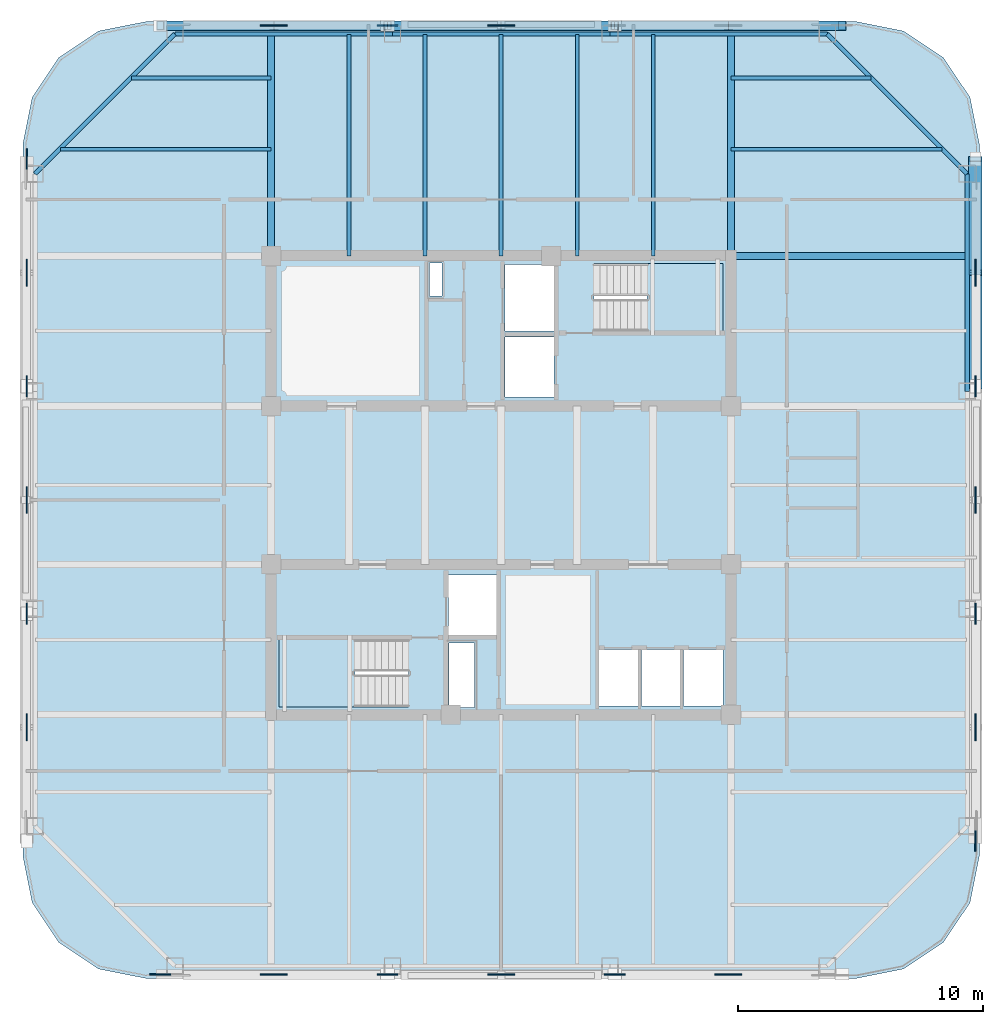
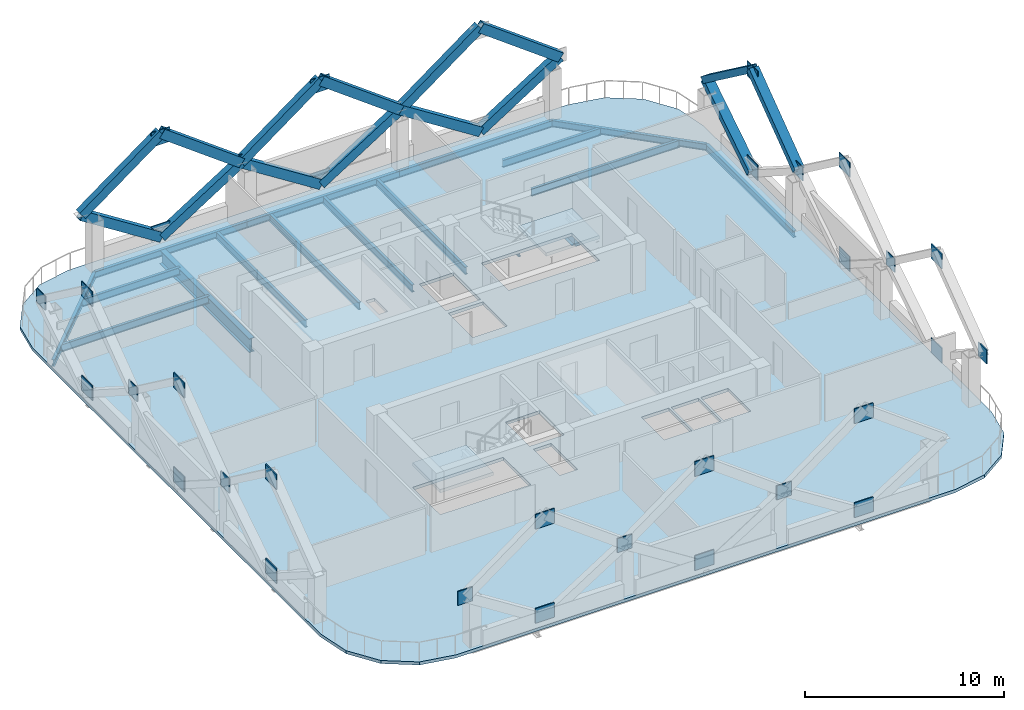
# One storey, part 2 of 8: 32 plates, 18 beams, 15 members, 3 slabs, 2 elements without a shape of their own.
"""IFC4 building model written with IfcOpenShell, lengths in metres."""

from ifc_helpers import new_model, si_unit, direction, frame, origin, origin_2d, place, context, subcontext, project, spatial, polyline, rectangle, hollow_rectangle, i_section, outline, extrude, material, layer, layer_set, material_profile, profile_set, type_object, element, aggregate, save


model = new_model("IFC4")

# Units and contexts
model_context = context("Model", 3, precision=1e-05, world=origin(), true_north=direction((0.0, 1.0)))
body_context = subcontext(model_context, "Body", "Model", "MODEL_VIEW")
ifc_project = project(units=[si_unit("LENGTHUNIT", "METRE"), si_unit("AREAUNIT", "SQUARE_METRE"), si_unit("VOLUMEUNIT", "CUBIC_METRE"), si_unit("PLANEANGLEUNIT", "RADIAN"), si_unit("MASSUNIT", "GRAM", prefix="KILO")], contexts=[model_context])

# Site, building, storey
site_placement = place(None, origin())
site = spatial("IfcSite", under=ifc_project, at=site_placement, CompositionType="ELEMENT")
building_placement = place(site_placement, origin())
building = spatial("IfcBuilding", under=site, at=building_placement, Name="Qhalaya Broadcast Tower", CompositionType="ELEMENT")
storey_placement = place(building_placement, frame((0.0, 0.0, 223.89990234375)))
storey = spatial("IfcBuildingStorey", under=building, at=storey_placement, Name="L66", CompositionType="ELEMENT", Elevation=223.89990234375)

# Beams
ifc_material_1 = material(Name="Structural Steel ASTM A992 Grade 50", Category="steel")
ifc_material_profile_1 = material_profile(ifc_material_1, i_section(OverallWidth=0.154052734375, OverallDepth=0.458984375, WebThickness=0.009033203125, FlangeThickness=0.015380859375, at=origin_2d()), Name="W18X46")
ifc_profile_set_1 = profile_set([ifc_material_profile_1], Name="Structural Steel ASTM A992 Grade 50")
beam_type_1 = type_object("IfcBeamType", Name="Composite Floor Joist J04", PredefinedType="JOIST", material=ifc_profile_set_1)
for number, where, z_axis, x_axis, name in (
    (1, (-6.199951171875, 9.949951171875, -0.41943359375), (0.0, 1.0, 0.0), (-1.0, 0.0, 0.0), "L66 J04 L66-JNN1-1"),
    (2, (-3.10009765625, 9.949951171875, -0.41943359375), (0.0, 1.0, 0.0), (-1.0, 0.0, 0.0), "L66 J04 L66-JNN2-1"),
    (3, (0.0, 9.949951171875, -0.41943359375), (0.0, 1.0, 0.0), (-1.0, 0.0, 0.0), "L66 J04 L66-JNN3-1"),
    (4, (3.10009765625, 9.949951171875, -0.41943359375), (0.0, 1.0, 0.0), (-1.0, 0.0, 0.0), "L66 J04 L66-JNN4-1"),
    (5, (6.199951171875, 9.949951171875, -0.41943359375), (0.0, 1.0, 0.0), (-1.0, 0.0, 0.0), "L66 J04 L66-JNN5-1"),
):
    element("IfcBeam", number, at=place(storey_placement, frame(where, z_axis=z_axis, x_axis=x_axis)), inside=storey, type_object=beam_type_1, Name=name, PredefinedType="JOIST", context=body_context, shape_type="SweptSolid", body=[
        extrude(i_section(OverallWidth=0.154052734375, OverallDepth=0.458984375, WebThickness=0.009033203125, FlangeThickness=0.015380859375, at=origin_2d()), origin(), (0.0, 0.0, 1.0), 9.030029296875),
    ])
for number, where, z_axis, x_axis, name in (
    (6, (-17.9716796875, 14.300048828125, -0.41943359375), (1.0, 0.0, 0.0), (0.0, 1.0, 0.0), "L66 J04 L66-JWE6W-1"),
    (7, (9.375, 14.300048828125, -0.41943359375), (1.0, 0.0, 0.0), (0.0, 1.0, 0.0), "L66 J04 L66-JWE6E-1"),
):
    element("IfcBeam", number, at=place(storey_placement, frame(where, z_axis=z_axis, x_axis=x_axis)), inside=storey, type_object=beam_type_1, Name=name, PredefinedType="JOIST", context=body_context, shape_type="SweptSolid", body=[
        extrude(i_section(OverallWidth=0.154052734375, OverallDepth=0.458984375, WebThickness=0.009033203125, FlangeThickness=0.015380859375, at=origin_2d()), origin(), (0.0, 0.0, 1.0), 8.5966796875),
    ])
for number, where, z_axis, x_axis, name in (
    (8, (-15.07177734375, 17.199951171875, -0.41943359375), (1.0, 0.0, 0.0), (0.0, 1.0, 0.0), "L66 J04 L66-JWE7W-1"),
    (9, (9.375, 17.199951171875, -0.41943359375), (1.0, 0.0, 0.0), (0.0, 1.0, 0.0), "L66 J04 L66-JWE7E-1"),
):
    element("IfcBeam", number, at=place(storey_placement, frame(where, z_axis=z_axis, x_axis=x_axis)), inside=storey, type_object=beam_type_1, Name=name, PredefinedType="JOIST", context=body_context, shape_type="SweptSolid", body=[
        extrude(i_section(OverallWidth=0.154052734375, OverallDepth=0.458984375, WebThickness=0.009033203125, FlangeThickness=0.015380859375, at=origin_2d()), origin(), (0.0, 0.0, 1.0), 5.69677734375),
    ])

# Members
ifc_material_2 = material(Name="Structural Steel ASTM A572 Grade 50", Category="steel")
ifc_material_profile_2 = material_profile(ifc_material_2, hollow_rectangle(XDim=0.3798828125, YDim=0.550048828125, WallThickness=0.02490234375, at=origin_2d()), Name="BOX 380x550x25")
ifc_profile_set_2 = profile_set([ifc_material_profile_2], Name="Structural Steel ASTM A572 Grade 50")
member_type = type_object("IfcMemberType", Name="Exoskeleton Diamond Diagonal Upper EX4", PredefinedType="BRACE", material=ifc_profile_set_2)
member_placement = place(storey_placement, frame((19.340087890625, 9.2666015625, 0.360107421875), z_axis=(0.0, 0.843538840855, 0.537068174415), x_axis=(0.0, -0.537068174415, 0.843538840855)))
element("IfcMember", 10, at=member_placement, inside=storey, type_object=member_type, Name="B5 Exoskeleton Diamond Brace E3-D2", PredefinedType="BRACE", context=body_context, shape_type="SweptSolid", body=[
    extrude(hollow_rectangle(XDim=0.3798828125, YDim=0.550048828125, WallThickness=0.02490234375, at=origin_2d()), origin(), (0.0, 0.0, 1.0), 5.49267578125),
])
for number, where, z_axis, x_axis, name in (
    (11, (19.340087890625, 4.63330078125, 3.31005859375), (0.0, 0.803734963659, 0.594987485744), (0.0, -0.594987485744, 0.803734963659), "B5 Exoskeleton Diamond Brace E3-D3"),
    (12, (19.340087890625, 13.89990234375, 3.31005859375), (0.0, -0.803734963659, 0.594987485744), (0.0, 0.594987485744, 0.803734963659), "B5 Exoskeleton Diamond Brace E3-D4"),
):
    element("IfcMember", number, at=place(storey_placement, frame(where, z_axis=z_axis, x_axis=x_axis)), inside=storey, type_object=member_type, Name=name, PredefinedType="BRACE", context=body_context, shape_type="SweptSolid", body=[
        extrude(hollow_rectangle(XDim=0.3798828125, YDim=0.550048828125, WallThickness=0.02490234375, at=origin_2d()), origin(), (0.0, 0.0, 1.0), 5.7646484375),
    ])
for number, where, z_axis, x_axis, name in (
    (13, (9.2666015625, 19.340087890625, 0.360107421875), (0.843538840855, 0.0, 0.537068174415), (0.0, 1.0, 0.0), "B5 Exoskeleton Diamond Brace N1-D1"),
    (14, (9.2666015625, 19.340087890625, 0.360107421875), (-0.843538840855, 0.0, 0.537068174415), (0.0, -1.0, 0.0), "B5 Exoskeleton Diamond Brace N1-D2"),
):
    element("IfcMember", number, at=place(storey_placement, frame(where, z_axis=z_axis, x_axis=x_axis)), inside=storey, type_object=member_type, Name=name, PredefinedType="BRACE", context=body_context, shape_type="SweptSolid", body=[
        extrude(hollow_rectangle(XDim=0.3798828125, YDim=0.550048828125, WallThickness=0.02490234375, at=origin_2d()), origin(), (0.0, 0.0, 1.0), 5.49267578125),
    ])
for number, where, z_axis, x_axis, name in (
    (15, (13.89990234375, 19.340087890625, 3.31005859375), (-0.803734963659, 0.0, 0.594987485744), (0.0, -1.0, 0.0), "B5 Exoskeleton Diamond Brace N1-D3"),
    (16, (4.63330078125, 19.340087890625, 3.31005859375), (0.803734963659, 0.0, 0.594987485744), (0.0, 1.0, 0.0), "B5 Exoskeleton Diamond Brace N1-D4"),
):
    element("IfcMember", number, at=place(storey_placement, frame(where, z_axis=z_axis, x_axis=x_axis)), inside=storey, type_object=member_type, Name=name, PredefinedType="BRACE", context=body_context, shape_type="SweptSolid", body=[
        extrude(hollow_rectangle(XDim=0.3798828125, YDim=0.550048828125, WallThickness=0.02490234375, at=origin_2d()), origin(), (0.0, 0.0, 1.0), 5.7646484375),
    ])
for number, where, z_axis, x_axis, name in (
    (17, (0.0, 19.340087890625, 0.360107421875), (0.843538840855, 0.0, 0.537068174415), (0.0, 1.0, 0.0), "B5 Exoskeleton Diamond Brace N2-D1"),
    (18, (0.0, 19.340087890625, 0.360107421875), (-0.843538840855, 0.0, 0.537068174415), (0.0, -1.0, 0.0), "B5 Exoskeleton Diamond Brace N2-D2"),
):
    element("IfcMember", number, at=place(storey_placement, frame(where, z_axis=z_axis, x_axis=x_axis)), inside=storey, type_object=member_type, Name=name, PredefinedType="BRACE", context=body_context, shape_type="SweptSolid", body=[
        extrude(hollow_rectangle(XDim=0.3798828125, YDim=0.550048828125, WallThickness=0.02490234375, at=origin_2d()), origin(), (0.0, 0.0, 1.0), 5.49267578125),
    ])
for number, where, z_axis, x_axis, name in (
    (19, (4.63330078125, 19.340087890625, 3.31005859375), (-0.803734963659, 0.0, 0.594987485744), (0.0, -1.0, 0.0), "B5 Exoskeleton Diamond Brace N2-D3"),
    (20, (-4.63330078125, 19.340087890625, 3.31005859375), (0.803734963659, 0.0, 0.594987485744), (0.0, 1.0, 0.0), "B5 Exoskeleton Diamond Brace N2-D4"),
):
    element("IfcMember", number, at=place(storey_placement, frame(where, z_axis=z_axis, x_axis=x_axis)), inside=storey, type_object=member_type, Name=name, PredefinedType="BRACE", context=body_context, shape_type="SweptSolid", body=[
        extrude(hollow_rectangle(XDim=0.3798828125, YDim=0.550048828125, WallThickness=0.02490234375, at=origin_2d()), origin(), (0.0, 0.0, 1.0), 5.7646484375),
    ])
for number, where, z_axis, x_axis, name in (
    (21, (-9.2666015625, 19.340087890625, 0.360107421875), (0.843538840855, 0.0, 0.537068174415), (0.0, 1.0, 0.0), "B5 Exoskeleton Diamond Brace N3-D1"),
    (22, (-9.2666015625, 19.340087890625, 0.360107421875), (-0.843538840855, 0.0, 0.537068174415), (0.0, -1.0, 0.0), "B5 Exoskeleton Diamond Brace N3-D2"),
):
    element("IfcMember", number, at=place(storey_placement, frame(where, z_axis=z_axis, x_axis=x_axis)), inside=storey, type_object=member_type, Name=name, PredefinedType="BRACE", context=body_context, shape_type="SweptSolid", body=[
        extrude(hollow_rectangle(XDim=0.3798828125, YDim=0.550048828125, WallThickness=0.02490234375, at=origin_2d()), origin(), (0.0, 0.0, 1.0), 5.49267578125),
    ])
for number, where, z_axis, x_axis, name in (
    (23, (-4.63330078125, 19.340087890625, 3.31005859375), (-0.803734963659, 0.0, 0.594987485744), (0.0, -1.0, 0.0), "B5 Exoskeleton Diamond Brace N3-D3"),
    (24, (-13.89990234375, 19.340087890625, 3.31005859375), (0.803734963659, 0.0, 0.594987485744), (0.0, 1.0, 0.0), "B5 Exoskeleton Diamond Brace N3-D4"),
):
    element("IfcMember", number, at=place(storey_placement, frame(where, z_axis=z_axis, x_axis=x_axis)), inside=storey, type_object=member_type, Name=name, PredefinedType="BRACE", context=body_context, shape_type="SweptSolid", body=[
        extrude(hollow_rectangle(XDim=0.3798828125, YDim=0.550048828125, WallThickness=0.02490234375, at=origin_2d()), origin(), (0.0, 0.0, 1.0), 5.7646484375),
    ])

# Beams
ifc_material_profile_3 = material_profile(ifc_material_1, i_section(OverallWidth=0.2919921875, OverallDepth=0.85888671875, WebThickness=0.01708984375, FlangeThickness=0.031005859375, at=origin_2d()), Name="W33X169")
ifc_profile_set_3 = profile_set([ifc_material_profile_3], Name="Structural Steel ASTM A992 Grade 50")
beam_type_2 = type_object("IfcBeamType", Name="Upper Block Primary Girder PG4", PredefinedType="USERDEFINED", material=ifc_profile_set_3)
for number, where, z_axis, x_axis, name in (
    (25, (-9.375, 9.949951171875, -0.619384765625), (0.0, 1.0, 0.0), (-1.0, 0.0, 0.0), "L66 PG4 L66-PGXN1-1"),
    (26, (9.375, 9.949951171875, -0.619384765625), (0.0, 1.0, 0.0), (-1.0, 0.0, 0.0), "L66 PG4 L66-PGXN2-1"),
):
    element("IfcBeam", number, at=place(storey_placement, frame(where, z_axis=z_axis, x_axis=x_axis)), inside=storey, type_object=beam_type_2, Name=name, ObjectType="GIRDER", PredefinedType="USERDEFINED", context=body_context, shape_type="SweptSolid", body=[
        extrude(i_section(OverallWidth=0.2919921875, OverallDepth=0.85888671875, WebThickness=0.01708984375, FlangeThickness=0.031005859375, at=origin_2d()), origin(), (0.0, 0.0, 1.0), 9.030029296875),
    ])
beam_1_placement = place(storey_placement, frame((9.375, 9.949951171875, -0.619384765625), z_axis=(1.0, 0.0, 0.0), x_axis=(0.0, 1.0, 0.0)))
element("IfcBeam", 27, at=beam_1_placement, inside=storey, type_object=beam_type_2, Name="L66 PG4 L66-PGYE4-1", ObjectType="GIRDER", PredefinedType="USERDEFINED", context=body_context, shape_type="SweptSolid", body=[
    extrude(i_section(OverallWidth=0.2919921875, OverallDepth=0.85888671875, WebThickness=0.01708984375, FlangeThickness=0.031005859375, at=origin_2d()), origin(), (0.0, 0.0, 1.0), 9.60498046875),
])
ifc_material_profile_4 = material_profile(ifc_material_1, i_section(OverallWidth=0.177978515625, OverallDepth=0.406005859375, WebThickness=0.0078125, FlangeThickness=0.0126953125, at=origin_2d()), Name="W16X40")
ifc_profile_set_4 = profile_set([ifc_material_profile_4], Name="Structural Steel ASTM A992 Grade 50")
beam_type_3 = type_object("IfcBeamType", Name="Upper Perimeter Spandrel Beam SP2", PredefinedType="SPANDREL", material=ifc_profile_set_4)
beam_2_placement = place(storey_placement, frame((19.0, 4.433349609375, -0.392822265625), z_axis=(0.0, 1.0, 0.0), x_axis=(-1.0, 0.0, 0.0)))
element("IfcBeam", 28, at=beam_2_placement, inside=storey, type_object=beam_type_3, Name="L66 SP2 L66-SPR-07", PredefinedType="SPANDREL", context=body_context, shape_type="SweptSolid", body=[
    extrude(i_section(OverallWidth=0.177978515625, OverallDepth=0.406005859375, WebThickness=0.0078125, FlangeThickness=0.0126953125, at=origin_2d()), origin(), (0.0, 0.0, 1.0), 8.86669921875),
])
beam_3_placement = place(storey_placement, frame((19.0, 13.300048828125, -0.392822265625), z_axis=(-0.707106781187, 0.707106781187, 0.0), x_axis=(-0.707106781187, -0.707106781187, 0.0)))
element("IfcBeam", 29, at=beam_3_placement, inside=storey, type_object=beam_type_3, Name="L66 SP2 L66-SPR-08", PredefinedType="SPANDREL", context=body_context, shape_type="SweptSolid", body=[
    extrude(i_section(OverallWidth=0.177978515625, OverallDepth=0.406005859375, WebThickness=0.0078125, FlangeThickness=0.0126953125, at=origin_2d()), origin(), (0.0, 0.0, 1.0), 8.06103515625),
])
for number, where, z_axis, x_axis, name in (
    (30, (13.300048828125, 19.0, -0.392822265625), (-1.0, 0.0, 0.0), (0.0, -1.0, 0.0), "L66 SP2 L66-SPR-09"),
    (31, (4.433349609375, 19.0, -0.392822265625), (-1.0, 0.0, 0.0), (0.0, -1.0, 0.0), "L66 SP2 L66-SPR-10"),
    (32, (-4.433349609375, 19.0, -0.392822265625), (-1.0, 0.0, 0.0), (0.0, -1.0, 0.0), "L66 SP2 L66-SPR-11"),
):
    element("IfcBeam", number, at=place(storey_placement, frame(where, z_axis=z_axis, x_axis=x_axis)), inside=storey, type_object=beam_type_3, Name=name, PredefinedType="SPANDREL", context=body_context, shape_type="SweptSolid", body=[
        extrude(i_section(OverallWidth=0.177978515625, OverallDepth=0.406005859375, WebThickness=0.0078125, FlangeThickness=0.0126953125, at=origin_2d()), origin(), (0.0, 0.0, 1.0), 8.86669921875),
    ])
beam_4_placement = place(storey_placement, frame((-13.300048828125, 19.0, -0.392822265625), z_axis=(-0.707106781187, -0.707106781187, 0.0), x_axis=(0.707106781187, -0.707106781187, 0.0)))
element("IfcBeam", 33, at=beam_4_placement, inside=storey, type_object=beam_type_3, Name="L66 SP2 L66-SPR-12", PredefinedType="SPANDREL", context=body_context, shape_type="SweptSolid", body=[
    extrude(i_section(OverallWidth=0.177978515625, OverallDepth=0.406005859375, WebThickness=0.0078125, FlangeThickness=0.0126953125, at=origin_2d()), origin(), (0.0, 0.0, 1.0), 8.06103515625),
])

# Plates
ifc_layer_1 = layer(ifc_material_2, 0.054931640625, Name="Structural Steel ASTM A572 Grade 50")
ifc_layer_set_1 = layer_set([ifc_layer_1], Name="Structural Steel ASTM A572 Grade 50")
plate_type = type_object("IfcPlateType", Name="Exoskeleton Diamond Node Gusset Plate NP-01", PredefinedType="USERDEFINED", material=ifc_layer_set_1)
for number, where, z_axis, x_axis, name in (
    (34, (-9.2666015625, -19.340087890625, 0.210205078125), (0.0, 0.0, 1.0), (1.0, 0.0, 0.0), "Exoskeleton Diamond Node B5-S1-BOT"),
    (35, (-9.2666015625, -19.340087890625, 5.990234375), (0.0, 0.0, 1.0), (1.0, 0.0, 0.0), "Exoskeleton Diamond Node B5-S1-TOP"),
):
    element("IfcPlate", number, at=place(storey_placement, frame(where, z_axis=z_axis, x_axis=x_axis)), inside=storey, type_object=plate_type, Name=name, ObjectType="GUSSET_PLATE", PredefinedType="USERDEFINED", context=body_context, shape_type="SweptSolid", body=[
        extrude(rectangle(XDim=1.10009765625, YDim=0.054931640625, at=origin_2d()), origin(), (0.0, 0.0, 1.0), 0.89990234375),
    ])
plate_1_placement = place(storey_placement, frame((-13.89990234375, -19.340087890625, 2.885009765625), z_axis=(0.0, 0.0, 1.0), x_axis=(1.0, 0.0, 0.0)))
element("IfcPlate", 36, at=plate_1_placement, inside=storey, type_object=plate_type, Name="Exoskeleton Diamond Node B5-S1-MDL", ObjectType="GUSSET_PLATE", PredefinedType="USERDEFINED", context=body_context, shape_type="SweptSolid", body=[
    extrude(rectangle(XDim=0.85009765625, YDim=0.054931640625, at=origin_2d()), origin(), (0.0, 0.0, 1.0), 0.85009765625),
])
for number, where, z_axis, x_axis, name in (
    (37, (0.0, -19.340087890625, 0.210205078125), (0.0, 0.0, 1.0), (1.0, 0.0, 0.0), "Exoskeleton Diamond Node B5-S2-BOT"),
    (38, (0.0, -19.340087890625, 5.990234375), (0.0, 0.0, 1.0), (1.0, 0.0, 0.0), "Exoskeleton Diamond Node B5-S2-TOP"),
):
    element("IfcPlate", number, at=place(storey_placement, frame(where, z_axis=z_axis, x_axis=x_axis)), inside=storey, type_object=plate_type, Name=name, ObjectType="GUSSET_PLATE", PredefinedType="USERDEFINED", context=body_context, shape_type="SweptSolid", body=[
        extrude(rectangle(XDim=1.10009765625, YDim=0.054931640625, at=origin_2d()), origin(), (0.0, 0.0, 1.0), 0.89990234375),
    ])
plate_2_placement = place(storey_placement, frame((-4.63330078125, -19.340087890625, 2.885009765625), z_axis=(0.0, 0.0, 1.0), x_axis=(1.0, 0.0, 0.0)))
element("IfcPlate", 39, at=plate_2_placement, inside=storey, type_object=plate_type, Name="Exoskeleton Diamond Node B5-S2-MDL", ObjectType="GUSSET_PLATE", PredefinedType="USERDEFINED", context=body_context, shape_type="SweptSolid", body=[
    extrude(rectangle(XDim=0.85009765625, YDim=0.054931640625, at=origin_2d()), origin(), (0.0, 0.0, 1.0), 0.85009765625),
])
for number, where, z_axis, x_axis, name in (
    (40, (9.2666015625, -19.340087890625, 0.210205078125), (0.0, 0.0, 1.0), (1.0, 0.0, 0.0), "Exoskeleton Diamond Node B5-S3-BOT"),
    (41, (9.2666015625, -19.340087890625, 5.990234375), (0.0, 0.0, 1.0), (1.0, 0.0, 0.0), "Exoskeleton Diamond Node B5-S3-TOP"),
):
    element("IfcPlate", number, at=place(storey_placement, frame(where, z_axis=z_axis, x_axis=x_axis)), inside=storey, type_object=plate_type, Name=name, ObjectType="GUSSET_PLATE", PredefinedType="USERDEFINED", context=body_context, shape_type="SweptSolid", body=[
        extrude(rectangle(XDim=1.10009765625, YDim=0.054931640625, at=origin_2d()), origin(), (0.0, 0.0, 1.0), 0.89990234375),
    ])
plate_3_placement = place(storey_placement, frame((4.63330078125, -19.340087890625, 2.885009765625), z_axis=(0.0, 0.0, 1.0), x_axis=(1.0, 0.0, 0.0)))
element("IfcPlate", 42, at=plate_3_placement, inside=storey, type_object=plate_type, Name="Exoskeleton Diamond Node B5-S3-MDL", ObjectType="GUSSET_PLATE", PredefinedType="USERDEFINED", context=body_context, shape_type="SweptSolid", body=[
    extrude(rectangle(XDim=0.85009765625, YDim=0.054931640625, at=origin_2d()), origin(), (0.0, 0.0, 1.0), 0.85009765625),
])
for number, where, z_axis, x_axis, name in (
    (43, (19.340087890625, -9.2666015625, 0.210205078125), (0.0, 0.0, 1.0), (0.0, 1.0, 0.0), "Exoskeleton Diamond Node B5-E1-BOT"),
    (44, (19.340087890625, -9.2666015625, 5.990234375), (0.0, 0.0, 1.0), (0.0, 1.0, 0.0), "Exoskeleton Diamond Node B5-E1-TOP"),
):
    element("IfcPlate", number, at=place(storey_placement, frame(where, z_axis=z_axis, x_axis=x_axis)), inside=storey, type_object=plate_type, Name=name, ObjectType="GUSSET_PLATE", PredefinedType="USERDEFINED", context=body_context, shape_type="SweptSolid", body=[
        extrude(rectangle(XDim=1.10009765625, YDim=0.054931640625, at=origin_2d()), origin(), (0.0, 0.0, 1.0), 0.89990234375),
    ])
plate_4_placement = place(storey_placement, frame((19.340087890625, -13.89990234375, 2.885009765625), z_axis=(0.0, 0.0, 1.0), x_axis=(0.0, 1.0, 0.0)))
element("IfcPlate", 45, at=plate_4_placement, inside=storey, type_object=plate_type, Name="Exoskeleton Diamond Node B5-E1-MDL", ObjectType="GUSSET_PLATE", PredefinedType="USERDEFINED", context=body_context, shape_type="SweptSolid", body=[
    extrude(rectangle(XDim=0.85009765625, YDim=0.054931640625, at=origin_2d()), origin(), (0.0, 0.0, 1.0), 0.85009765625),
])
for number, where, z_axis, x_axis, name in (
    (46, (19.340087890625, 0.0, 0.210205078125), (0.0, 0.0, 1.0), (0.0, 1.0, 0.0), "Exoskeleton Diamond Node B5-E2-BOT"),
    (47, (19.340087890625, 0.0, 5.990234375), (0.0, 0.0, 1.0), (0.0, 1.0, 0.0), "Exoskeleton Diamond Node B5-E2-TOP"),
):
    element("IfcPlate", number, at=place(storey_placement, frame(where, z_axis=z_axis, x_axis=x_axis)), inside=storey, type_object=plate_type, Name=name, ObjectType="GUSSET_PLATE", PredefinedType="USERDEFINED", context=body_context, shape_type="SweptSolid", body=[
        extrude(rectangle(XDim=1.10009765625, YDim=0.054931640625, at=origin_2d()), origin(), (0.0, 0.0, 1.0), 0.89990234375),
    ])
plate_5_placement = place(storey_placement, frame((19.340087890625, -4.63330078125, 2.885009765625), z_axis=(0.0, 0.0, 1.0), x_axis=(0.0, 1.0, 0.0)))
element("IfcPlate", 48, at=plate_5_placement, inside=storey, type_object=plate_type, Name="Exoskeleton Diamond Node B5-E2-MDL", ObjectType="GUSSET_PLATE", PredefinedType="USERDEFINED", context=body_context, shape_type="SweptSolid", body=[
    extrude(rectangle(XDim=0.85009765625, YDim=0.054931640625, at=origin_2d()), origin(), (0.0, 0.0, 1.0), 0.85009765625),
])
for number, where, z_axis, x_axis, name in (
    (49, (19.340087890625, 9.2666015625, 0.210205078125), (0.0, 0.0, 1.0), (0.0, 1.0, 0.0), "Exoskeleton Diamond Node B5-E3-BOT"),
    (50, (19.340087890625, 9.2666015625, 5.990234375), (0.0, 0.0, 1.0), (0.0, 1.0, 0.0), "Exoskeleton Diamond Node B5-E3-TOP"),
):
    element("IfcPlate", number, at=place(storey_placement, frame(where, z_axis=z_axis, x_axis=x_axis)), inside=storey, type_object=plate_type, Name=name, ObjectType="GUSSET_PLATE", PredefinedType="USERDEFINED", context=body_context, shape_type="SweptSolid", body=[
        extrude(rectangle(XDim=1.10009765625, YDim=0.054931640625, at=origin_2d()), origin(), (0.0, 0.0, 1.0), 0.89990234375),
    ])
plate_6_placement = place(storey_placement, frame((19.340087890625, 4.63330078125, 2.885009765625), z_axis=(0.0, 0.0, 1.0), x_axis=(0.0, 1.0, 0.0)))
element("IfcPlate", 51, at=plate_6_placement, inside=storey, type_object=plate_type, Name="Exoskeleton Diamond Node B5-E3-MDL", ObjectType="GUSSET_PLATE", PredefinedType="USERDEFINED", context=body_context, shape_type="SweptSolid", body=[
    extrude(rectangle(XDim=0.85009765625, YDim=0.054931640625, at=origin_2d()), origin(), (0.0, 0.0, 1.0), 0.85009765625),
])
for number, where, z_axis, x_axis, name in (
    (52, (0.0, 19.340087890625, 0.210205078125), (0.0, 0.0, 1.0), (1.0, 0.0, 0.0), "Exoskeleton Diamond Node B5-N2-BOT"),
    (53, (0.0, 19.340087890625, 5.990234375), (0.0, 0.0, 1.0), (1.0, 0.0, 0.0), "Exoskeleton Diamond Node B5-N2-TOP"),
    (54, (-9.2666015625, 19.340087890625, 0.210205078125), (0.0, 0.0, 1.0), (1.0, 0.0, 0.0), "Exoskeleton Diamond Node B5-N3-BOT"),
    (55, (-9.2666015625, 19.340087890625, 5.990234375), (0.0, 0.0, 1.0), (1.0, 0.0, 0.0), "Exoskeleton Diamond Node B5-N3-TOP"),
):
    element("IfcPlate", number, at=place(storey_placement, frame(where, z_axis=z_axis, x_axis=x_axis)), inside=storey, type_object=plate_type, Name=name, ObjectType="GUSSET_PLATE", PredefinedType="USERDEFINED", context=body_context, shape_type="SweptSolid", body=[
        extrude(rectangle(XDim=1.10009765625, YDim=0.054931640625, at=origin_2d()), origin(), (0.0, 0.0, 1.0), 0.89990234375),
    ])
plate_7_placement = place(storey_placement, frame((-4.63330078125, 19.340087890625, 2.885009765625), z_axis=(0.0, 0.0, 1.0), x_axis=(1.0, 0.0, 0.0)))
element("IfcPlate", 56, at=plate_7_placement, inside=storey, type_object=plate_type, Name="Exoskeleton Diamond Node B5-N3-MDL", ObjectType="GUSSET_PLATE", PredefinedType="USERDEFINED", context=body_context, shape_type="SweptSolid", body=[
    extrude(rectangle(XDim=0.85009765625, YDim=0.054931640625, at=origin_2d()), origin(), (0.0, 0.0, 1.0), 0.85009765625),
])
for number, where, z_axis, x_axis, name in (
    (57, (-19.340087890625, 9.2666015625, 0.210205078125), (0.0, 0.0, 1.0), (0.0, 1.0, 0.0), "Exoskeleton Diamond Node B5-W1-BOT"),
    (58, (-19.340087890625, 9.2666015625, 5.990234375), (0.0, 0.0, 1.0), (0.0, 1.0, 0.0), "Exoskeleton Diamond Node B5-W1-TOP"),
):
    element("IfcPlate", number, at=place(storey_placement, frame(where, z_axis=z_axis, x_axis=x_axis)), inside=storey, type_object=plate_type, Name=name, ObjectType="GUSSET_PLATE", PredefinedType="USERDEFINED", context=body_context, shape_type="SweptSolid", body=[
        extrude(rectangle(XDim=1.10009765625, YDim=0.054931640625, at=origin_2d()), origin(), (0.0, 0.0, 1.0), 0.89990234375),
    ])
plate_8_placement = place(storey_placement, frame((-19.340087890625, 13.89990234375, 2.885009765625), z_axis=(0.0, 0.0, 1.0), x_axis=(0.0, 1.0, 0.0)))
element("IfcPlate", 59, at=plate_8_placement, inside=storey, type_object=plate_type, Name="Exoskeleton Diamond Node B5-W1-MDL", ObjectType="GUSSET_PLATE", PredefinedType="USERDEFINED", context=body_context, shape_type="SweptSolid", body=[
    extrude(rectangle(XDim=0.85009765625, YDim=0.054931640625, at=origin_2d()), origin(), (0.0, 0.0, 1.0), 0.85009765625),
])
for number, where, z_axis, x_axis, name in (
    (60, (-19.340087890625, 0.0, 0.210205078125), (0.0, 0.0, 1.0), (0.0, 1.0, 0.0), "Exoskeleton Diamond Node B5-W2-BOT"),
    (61, (-19.340087890625, 0.0, 5.990234375), (0.0, 0.0, 1.0), (0.0, 1.0, 0.0), "Exoskeleton Diamond Node B5-W2-TOP"),
):
    element("IfcPlate", number, at=place(storey_placement, frame(where, z_axis=z_axis, x_axis=x_axis)), inside=storey, type_object=plate_type, Name=name, ObjectType="GUSSET_PLATE", PredefinedType="USERDEFINED", context=body_context, shape_type="SweptSolid", body=[
        extrude(rectangle(XDim=1.10009765625, YDim=0.054931640625, at=origin_2d()), origin(), (0.0, 0.0, 1.0), 0.89990234375),
    ])
plate_9_placement = place(storey_placement, frame((-19.340087890625, 4.63330078125, 2.885009765625), z_axis=(0.0, 0.0, 1.0), x_axis=(0.0, 1.0, 0.0)))
element("IfcPlate", 62, at=plate_9_placement, inside=storey, type_object=plate_type, Name="Exoskeleton Diamond Node B5-W2-MDL", ObjectType="GUSSET_PLATE", PredefinedType="USERDEFINED", context=body_context, shape_type="SweptSolid", body=[
    extrude(rectangle(XDim=0.85009765625, YDim=0.054931640625, at=origin_2d()), origin(), (0.0, 0.0, 1.0), 0.85009765625),
])
for number, where, z_axis, x_axis, name in (
    (63, (-19.340087890625, -9.2666015625, 0.210205078125), (0.0, 0.0, 1.0), (0.0, 1.0, 0.0), "Exoskeleton Diamond Node B5-W3-BOT"),
    (64, (-19.340087890625, -9.2666015625, 5.990234375), (0.0, 0.0, 1.0), (0.0, 1.0, 0.0), "Exoskeleton Diamond Node B5-W3-TOP"),
):
    element("IfcPlate", number, at=place(storey_placement, frame(where, z_axis=z_axis, x_axis=x_axis)), inside=storey, type_object=plate_type, Name=name, ObjectType="GUSSET_PLATE", PredefinedType="USERDEFINED", context=body_context, shape_type="SweptSolid", body=[
        extrude(rectangle(XDim=1.10009765625, YDim=0.054931640625, at=origin_2d()), origin(), (0.0, 0.0, 1.0), 0.89990234375),
    ])
plate_10_placement = place(storey_placement, frame((-19.340087890625, -4.63330078125, 2.885009765625), z_axis=(0.0, 0.0, 1.0), x_axis=(0.0, 1.0, 0.0)))
element("IfcPlate", 65, at=plate_10_placement, inside=storey, type_object=plate_type, Name="Exoskeleton Diamond Node B5-W3-MDL", ObjectType="GUSSET_PLATE", PredefinedType="USERDEFINED", context=body_context, shape_type="SweptSolid", body=[
    extrude(rectangle(XDim=0.85009765625, YDim=0.054931640625, at=origin_2d()), origin(), (0.0, 0.0, 1.0), 0.85009765625),
])

# Stair, slab
ifc_material_3 = material(Name="Concrete C40/50", Category="concrete")
stair_type = type_object("IfcStairType", Name="Protected Dogleg Core Stair 3150", PredefinedType="TWO_STRAIGHT_RUN_STAIR", material=ifc_material_3)
stair_1_placement = place(storey_placement, origin())
stair_1 = element("IfcStair", 66, at=stair_1_placement, inside=storey, type_object=stair_type, Name="L66 North Core Exit Stair ST-1", PredefinedType="TWO_STRAIGHT_RUN_STAIR")
ifc_layer_2 = layer(ifc_material_3, 0.199951171875, Name="Concrete C40/50")
ifc_layer_set_2 = layer_set([ifc_layer_2], Name="Concrete C40/50")
slab_type_1 = type_object("IfcSlabType", Name="Stair & Ramp Half-Landing Slab 200", PredefinedType="LANDING", material=ifc_layer_set_2)
slab_1_placement = place(storey_placement, frame((0.0, 0.0, 1.3251953125)))
slab_1 = element("IfcSlab", 67, at=slab_1_placement, type_object=slab_type_1, Name="ST-1 landing 1", PredefinedType="LANDING", context=body_context, shape_type="SweptSolid", body=[
    extrude(outline(polyline([(5.955078125, 6.8798828125), (9.050048828125, 6.8798828125), (9.050048828125, 9.639892578125), (5.955078125, 9.639892578125), (5.955078125, 6.8798828125)])), origin(), (0.0, 0.0, 1.0), 0.199951171875),
])
aggregate(stair_1, [slab_1])

stair_2_placement = place(storey_placement, origin())
stair_2 = element("IfcStair", 68, at=stair_2_placement, inside=storey, type_object=stair_type, Name="L66 South Core Exit Stair ST-2", PredefinedType="TWO_STRAIGHT_RUN_STAIR")
slab_2_placement = place(storey_placement, frame((0.0, 0.0, 1.3251953125)))
slab_2 = element("IfcSlab", 69, at=slab_2_placement, type_object=slab_type_1, Name="ST-2 landing 1", PredefinedType="LANDING", context=body_context, shape_type="SweptSolid", body=[
    extrude(outline(polyline([(-5.955078125, -5.679931640625), (-9.050048828125, -5.679931640625), (-9.050048828125, -8.43994140625), (-5.955078125, -8.43994140625), (-5.955078125, -5.679931640625)])), origin(), (0.0, 0.0, 1.0), 0.199951171875),
])
aggregate(stair_2, [slab_2])

# Slab
ifc_layer_3 = layer(ifc_material_3, 0.18994140625, Name="Concrete C40/50")
ifc_layer_set_3 = layer_set([ifc_layer_3], Name="Concrete C40/50")
slab_type_2 = type_object("IfcSlabType", Name="Upper Tower Composite Floor Slab 190", PredefinedType="FLOOR", material=ifc_layer_set_3)
slab_3_placement = place(storey_placement, frame((0.0, 0.0, -0.18994140625)))
element("IfcSlab", 70, at=slab_3_placement, inside=storey, type_object=slab_type_2, Name="L66 Main Structural Floor Slab", PredefinedType="FLOOR", context=body_context, shape_type="SweptSolid", body=[
    extrude(outline(polyline([(14.5, -19.5), (16.413330078125, -19.119384765625), (18.035400390625, -18.035400390625), (19.119384765625, -16.413330078125), (19.5, -14.5), (19.5, 14.5), (19.119384765625, 16.413330078125), (18.035400390625, 18.035400390625), (16.413330078125, 19.119384765625), (14.5, 19.5), (-14.5, 19.5), (-16.413330078125, 19.119384765625), (-18.035400390625, 18.035400390625), (-19.119384765625, 16.413330078125), (-19.5, 14.5), (-19.5, -14.5), (-19.119384765625, -16.413330078125), (-18.035400390625, -18.035400390625), (-16.413330078125, -19.119384765625), (-14.5, -19.5), (14.5, -19.5)]), holes=[polyline([(3.784912109375, 9.639892578125), (9.050048828125, 9.639892578125), (9.050048828125, 6.8798828125), (3.784912109375, 6.8798828125), (3.784912109375, 9.639892578125)]), polyline([(-3.784912109375, -8.43994140625), (-9.050048828125, -8.43994140625), (-9.050048828125, -5.679931640625), (-3.784912109375, -5.679931640625), (-3.784912109375, -8.43994140625)]), polyline([(0.14990234375, 6.64990234375), (2.14990234375, 6.64990234375), (2.14990234375, 4.199951171875), (0.14990234375, 4.199951171875), (0.14990234375, 6.64990234375)]), polyline([(0.14990234375, 9.60009765625), (2.14990234375, 9.60009765625), (2.14990234375, 6.89990234375), (0.14990234375, 6.89990234375), (0.14990234375, 9.60009765625)]), polyline([(-2.14990234375, -3.050048828125), (-0.14990234375, -3.050048828125), (-0.14990234375, -5.5), (-2.14990234375, -5.5), (-2.14990234375, -3.050048828125)]), polyline([(4.0, -6.10009765625), (5.60009765625, -6.10009765625), (5.60009765625, -8.39990234375), (4.0, -8.39990234375), (4.0, -6.10009765625)]), polyline([(5.719970703125, -6.10009765625), (7.320068359375, -6.10009765625), (7.320068359375, -8.39990234375), (5.719970703125, -8.39990234375), (5.719970703125, -6.10009765625)]), polyline([(7.43994140625, -6.10009765625), (9.0400390625, -6.10009765625), (9.0400390625, -8.39990234375), (7.43994140625, -8.39990234375), (7.43994140625, -6.10009765625)]), polyline([(-2.919921875, 9.659912109375), (-2.419921875, 9.659912109375), (-2.419921875, 8.320068359375), (-2.919921875, 8.320068359375), (-2.919921875, 9.659912109375)]), polyline([(-2.1201171875, -5.820068359375), (-1.080078125, -5.820068359375), (-1.080078125, -8.4599609375), (-2.1201171875, -8.4599609375), (-2.1201171875, -5.820068359375)])]), origin(), (0.0, 0.0, 1.0), 0.18994140625),
])

save(model, "model.ifc")
